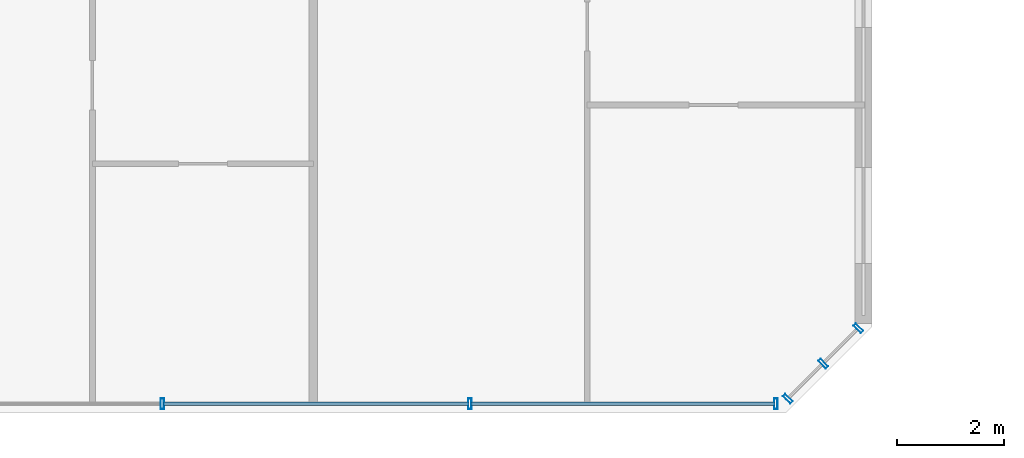
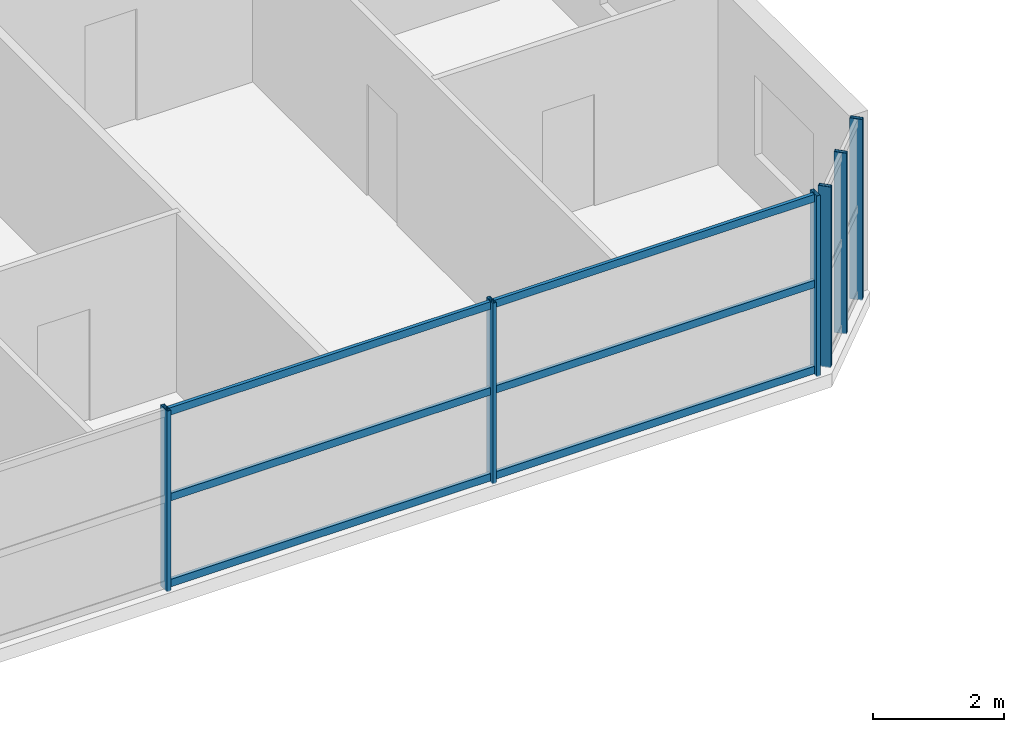
# One storey, part 6 of 21: 12 members, 2 elements without a shape of their own.
"""IFC4 building model written with IfcOpenShell, lengths in metres."""

from ifc_helpers import new_model, si_unit, direction, frame, origin, origin_2d, place, context, subcontext, project, spatial, hollow_rectangle, extrude, source, transform, mapped, material, material_profile, profile_set, type_object, element, aggregate, save


model = new_model("IFC4")

# Units and contexts
model_context = context("Model", 3, precision=1e-05, world=origin(), true_north=direction((0.0, 1.0)))
body_context = subcontext(model_context, "Body", "Model", "MODEL_VIEW")
ifc_project = project(units=[si_unit("LENGTHUNIT", "METRE"), si_unit("AREAUNIT", "SQUARE_METRE"), si_unit("VOLUMEUNIT", "CUBIC_METRE"), si_unit("PLANEANGLEUNIT", "RADIAN"), si_unit("MASSUNIT", "GRAM", prefix="KILO")], contexts=[model_context])

# Site, building, storey
site_placement = place(None, origin())
site = spatial("IfcSite", under=ifc_project, at=site_placement, CompositionType="ELEMENT")
building_placement = place(site_placement, origin())
building = spatial("IfcBuilding", under=site, at=building_placement, Name="Tlacorven Tower", CompositionType="ELEMENT")
storey_placement = place(building_placement, frame((0.0, 0.0, 112.5)))
storey = spatial("IfcBuildingStorey", under=building, at=storey_placement, Name="L28", CompositionType="ELEMENT", Elevation=112.5)

# Curtain wall, members
ifc_material_1 = material(Name="Dark solar low-E double glazing in aluminium frame", Category="aluminium")
curtain_wall_type = type_object("IfcCurtainWallType", Name="CW-TWR-MID", PredefinedType="USERDEFINED", material=ifc_material_1)
curtain_wall_1_placement = place(storey_placement, origin())
curtain_wall_1 = element("IfcCurtainWall", 1, at=curtain_wall_1_placement, inside=storey, type_object=curtain_wall_type, Name="L28 CW-TWR-MID Curtain Wall 140", ObjectType="UNITISED CURTAIN WALL", PredefinedType="USERDEFINED")
ifc_material_2 = material(Name="Aluminium 6063-T6 anodised", Category="aluminium")
ifc_material_profile_1 = material_profile(ifc_material_2, hollow_rectangle(XDim=0.06005859375, YDim=0.139892578125, WallThickness=0.00390625, at=origin_2d()), Name="ALU TRANSOM 60X140")
ifc_profile_set_1 = profile_set([ifc_material_profile_1], Name="Aluminium 6063-T6 anodised")
member_type_1 = type_object("IfcMemberType", Name="CWT-02", PredefinedType="USERDEFINED", material=ifc_profile_set_1)
shared_shape_1 = source(origin(), body_context, "Body", "SweptSolid", [
    extrude(hollow_rectangle(XDim=0.06005859375, YDim=0.139892578125, WallThickness=0.00390625, at=origin_2d()), origin(), (0.0, 0.0, 1.0), 5.682373046875),
])
member_1_placement = place(storey_placement, frame((50.580810546875, 1.9599609375, 0.070068359375), z_axis=(-1.0, 0.0, 0.0), x_axis=(0.0, -1.0, 0.0)))
member_1 = element("IfcMember", 2, at=member_1_placement, type_object=member_type_1, Name="CW-L28-140 Transom 1", ObjectType="TRANSOM", PredefinedType="USERDEFINED", context=body_context, shape_type="MappedRepresentation", body=[
    mapped(shared_shape_1, transform((0.0, 0.0, 0.0), scale=1.0)),
])
member_2_placement = place(storey_placement, frame((50.580810546875, 1.9599609375, 1.675048828125), z_axis=(-1.0, 0.0, 0.0), x_axis=(0.0, -1.0, 0.0)))
member_2 = element("IfcMember", 3, at=member_2_placement, type_object=member_type_1, Name="CW-L28-140 Transom 2", ObjectType="TRANSOM", PredefinedType="USERDEFINED", context=body_context, shape_type="MappedRepresentation", body=[
    mapped(shared_shape_1, transform((0.0, 0.0, 0.0), scale=1.0)),
])
member_3_placement = place(storey_placement, frame((50.580810546875, 1.9599609375, 3.280029296875), z_axis=(-1.0, 0.0, 0.0), x_axis=(0.0, -1.0, 0.0)))
member_3 = element("IfcMember", 4, at=member_3_placement, type_object=member_type_1, Name="CW-L28-140 Transom 3", ObjectType="TRANSOM", PredefinedType="USERDEFINED", context=body_context, shape_type="MappedRepresentation", body=[
    mapped(shared_shape_1, transform((0.0, 0.0, 0.0), scale=1.0)),
])
shared_shape_2 = source(origin(), body_context, "Body", "SweptSolid", [
    extrude(hollow_rectangle(XDim=0.06005859375, YDim=0.139892578125, WallThickness=0.00390625, at=origin_2d()), origin(), (0.0, 0.0, 1.0), 5.71484375),
])
member_4_placement = place(storey_placement, frame((44.857421875, 1.9599609375, 0.070068359375), z_axis=(-1.0, 0.0, 0.0), x_axis=(0.0, -1.0, 0.0)))
member_4 = element("IfcMember", 5, at=member_4_placement, type_object=member_type_1, Name="CW-L28-140 Transom 4", ObjectType="TRANSOM", PredefinedType="USERDEFINED", context=body_context, shape_type="MappedRepresentation", body=[
    mapped(shared_shape_2, transform((0.0, 0.0, 0.0), scale=1.0)),
])
member_5_placement = place(storey_placement, frame((44.857421875, 1.9599609375, 1.675048828125), z_axis=(-1.0, 0.0, 0.0), x_axis=(0.0, -1.0, 0.0)))
member_5 = element("IfcMember", 6, at=member_5_placement, type_object=member_type_1, Name="CW-L28-140 Transom 5", ObjectType="TRANSOM", PredefinedType="USERDEFINED", context=body_context, shape_type="MappedRepresentation", body=[
    mapped(shared_shape_2, transform((0.0, 0.0, 0.0), scale=1.0)),
])
member_6_placement = place(storey_placement, frame((44.857421875, 1.9599609375, 3.280029296875), z_axis=(-1.0, 0.0, 0.0), x_axis=(0.0, -1.0, 0.0)))
member_6 = element("IfcMember", 7, at=member_6_placement, type_object=member_type_1, Name="CW-L28-140 Transom 6", ObjectType="TRANSOM", PredefinedType="USERDEFINED", context=body_context, shape_type="MappedRepresentation", body=[
    mapped(shared_shape_2, transform((0.0, 0.0, 0.0), scale=1.0)),
])

curtain_wall_2_placement = place(storey_placement, origin())
curtain_wall_2 = element("IfcCurtainWall", 8, at=curtain_wall_2_placement, inside=storey, type_object=curtain_wall_type, Name="L28 CW-TWR-MID Curtain Wall 139", ObjectType="UNITISED CURTAIN WALL", PredefinedType="USERDEFINED")
ifc_material_profile_2 = material_profile(ifc_material_2, hollow_rectangle(XDim=0.06494140625, YDim=0.199951171875, WallThickness=0.00439453125, at=origin_2d()), Name="ALU MULLION 65X200")
ifc_profile_set_2 = profile_set([ifc_material_profile_2], Name="Aluminium 6063-T6 anodised")
member_type_2 = type_object("IfcMemberType", Name="CWM-02", PredefinedType="MULLION", material=ifc_profile_set_2)
shared_shape_3 = source(origin(), body_context, "Body", "SweptSolid", [
    extrude(hollow_rectangle(XDim=0.06494140625, YDim=0.199951171875, WallThickness=0.00439453125, at=origin_2d()), origin(), (0.0, 0.0, 1.0), 3.380126953125),
])
member_7_placement = place(storey_placement, frame((52.146240234375, 3.37255859375, -0.02001953125), z_axis=(0.0, 0.0, 1.0), x_axis=(-0.707106781187, -0.707106781187, 0.0)))
member_7 = element("IfcMember", 9, at=member_7_placement, type_object=member_type_2, Name="CW-L28-139 Mullion 1", PredefinedType="MULLION", context=body_context, shape_type="MappedRepresentation", body=[
    mapped(shared_shape_3, transform((0.0, 0.0, 0.0), scale=1.0)),
])
member_8_placement = place(storey_placement, frame((51.48681640625, 2.713134765625, -0.02001953125), z_axis=(0.0, 0.0, 1.0), x_axis=(-0.707106781187, -0.707106781187, 0.0)))
member_8 = element("IfcMember", 10, at=member_8_placement, type_object=member_type_2, Name="CW-L28-139 Mullion 2", PredefinedType="MULLION", context=body_context, shape_type="MappedRepresentation", body=[
    mapped(shared_shape_3, transform((0.0, 0.0, 0.0), scale=1.0)),
])
member_9_placement = place(storey_placement, frame((50.827392578125, 2.0537109375, -0.02001953125), z_axis=(0.0, 0.0, 1.0), x_axis=(-0.707106781187, -0.707106781187, 0.0)))
member_9 = element("IfcMember", 11, at=member_9_placement, type_object=member_type_2, Name="CW-L28-139 Mullion 3", PredefinedType="MULLION", context=body_context, shape_type="MappedRepresentation", body=[
    mapped(shared_shape_3, transform((0.0, 0.0, 0.0), scale=1.0)),
])
aggregate(curtain_wall_2, [member_7, member_8, member_9])

# Member
member_10_placement = place(storey_placement, frame((50.601318359375, 1.9599609375, -0.02001953125), z_axis=(0.0, 0.0, 1.0), x_axis=(-1.0, 0.0, 0.0)))
member_10 = element("IfcMember", 12, at=member_10_placement, type_object=member_type_2, Name="CW-L28-140 Mullion 1", PredefinedType="MULLION", context=body_context, shape_type="MappedRepresentation", body=[
    mapped(shared_shape_3, transform((0.0, 0.0, 0.0), scale=1.0)),
])

member_11_placement = place(storey_placement, frame((44.8779296875, 1.9599609375, -0.02001953125), z_axis=(0.0, 0.0, 1.0), x_axis=(-1.0, 0.0, 0.0)))
member_11 = element("IfcMember", 13, at=member_11_placement, type_object=member_type_2, Name="CW-L28-140 Mullion 2", PredefinedType="MULLION", context=body_context, shape_type="MappedRepresentation", body=[
    mapped(shared_shape_3, transform((0.0, 0.0, 0.0), scale=1.0)),
])

member_12_placement = place(storey_placement, frame((39.1220703125, 1.9599609375, -0.02001953125), z_axis=(0.0, 0.0, 1.0), x_axis=(-1.0, 0.0, 0.0)))
member_12 = element("IfcMember", 14, at=member_12_placement, type_object=member_type_2, Name="CW-L28-140 Mullion 3", PredefinedType="MULLION", context=body_context, shape_type="MappedRepresentation", body=[
    mapped(shared_shape_3, transform((0.0, 0.0, 0.0), scale=1.0)),
])

aggregate(curtain_wall_1, [member_10, member_11, member_12, member_1, member_2, member_3, member_4, member_5, member_6])

save(model, "model.ifc")
